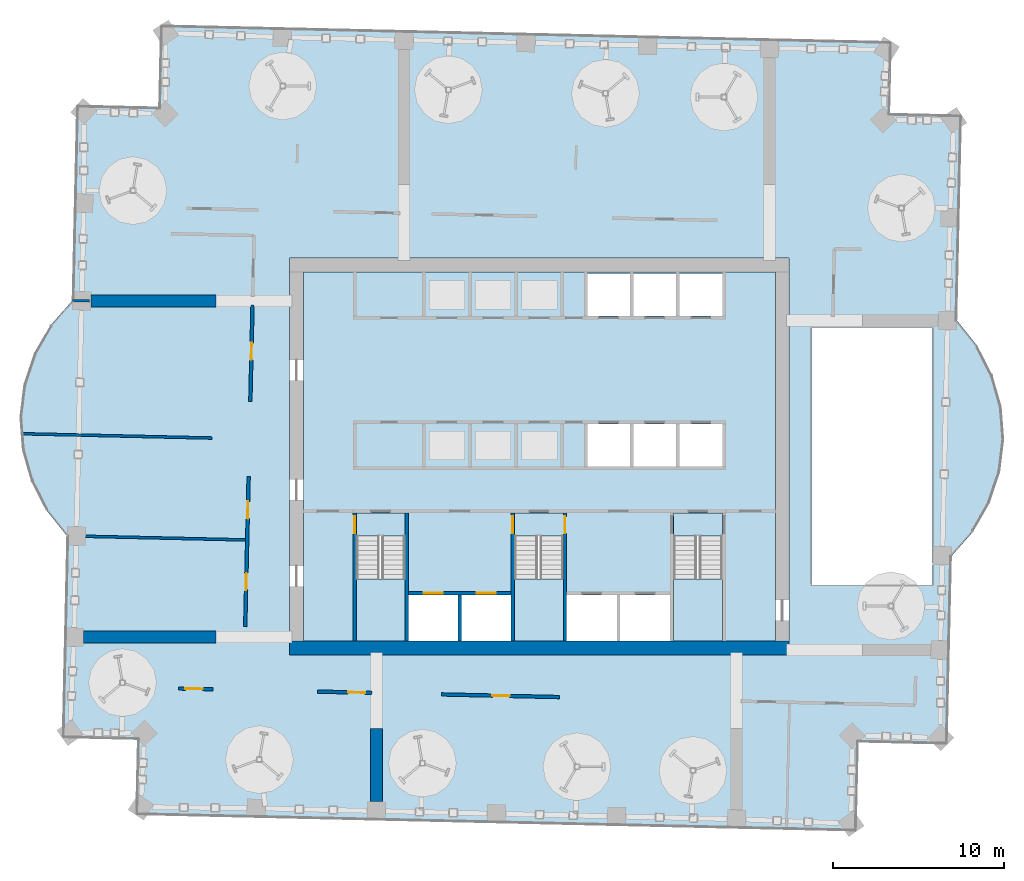
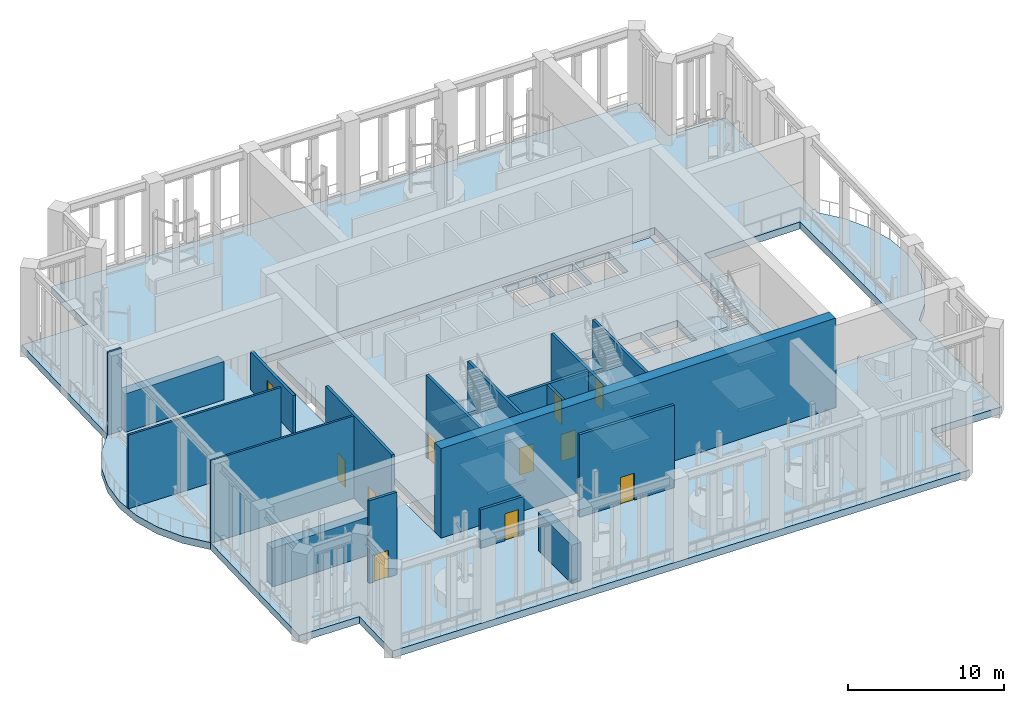
# One storey, part 7 of 33: 18 walls, 11 doors, 11 slabs, 11 openings, 3 elements without a shape of their own.
"""IFC4 building model written with IfcOpenShell, lengths in metres."""

from ifc_helpers import new_model, si_unit, direction, frame, frame_2d, origin, place, context, subcontext, project, spatial, polyline, rectangle, outline, extrude, material, layer, layer_set, type_object, element, fill, aggregate, save


model = new_model("IFC4")

# Units and contexts
model_context = context("Model", 3, precision=1e-05, world=origin(), true_north=direction((0.0, 1.0)))
body_context = subcontext(model_context, "Body", "Model", "MODEL_VIEW")
ifc_project = project(units=[si_unit("LENGTHUNIT", "METRE"), si_unit("AREAUNIT", "SQUARE_METRE"), si_unit("VOLUMEUNIT", "CUBIC_METRE"), si_unit("PLANEANGLEUNIT", "RADIAN"), si_unit("MASSUNIT", "GRAM", prefix="KILO")], contexts=[model_context])

# Site, building, storey
site_placement = place(None, origin())
site = spatial("IfcSite", under=ifc_project, at=site_placement, CompositionType="ELEMENT")
building_placement = place(site_placement, origin())
building = spatial("IfcBuilding", under=site, at=building_placement, Name="Mangrove Gate Tower", CompositionType="ELEMENT")
storey_placement = place(building_placement, frame((0.0, 0.0, 219.5)))
storey = spatial("IfcBuildingStorey", under=building, at=storey_placement, Name="L56", CompositionType="ELEMENT", Elevation=219.5)

# Slab
ifc_material_1 = material(Name="Concrete C40/50", Category="concrete")
ifc_layer_1 = layer(ifc_material_1, 0.550048828125)
ifc_layer_set_1 = layer_set([ifc_layer_1], Name="Core floor slab 550 C40/50")
slab_type_1 = type_object("IfcSlabType", Name="Core floor slab 550 C40/50", PredefinedType="FLOOR", material=ifc_layer_set_1)
slab_1_placement = place(storey_placement, frame((0.0, 0.0, -0.550048828125)))
element("IfcSlab", 1, at=slab_1_placement, inside=storey, type_object=slab_type_1, Name="SLAB-L56-CORE-1", PredefinedType="FLOOR", context=body_context, shape_type="SweptSolid", body=[
    extrude(outline(polyline([(-13.800048828125, -10.800048828125), (-13.800048828125, 10.800048828125), (13.800048828125, 10.800048828125), (13.800048828125, -10.800048828125), (10.699951171875, -10.800048828125), (10.699951171875, -4.653076171875), (7.85009765625, -4.653076171875), (7.85009765625, -10.800048828125), (7.64990234375, -10.800048828125), (7.64990234375, -8.10009765625), (4.72509765625, -8.10009765625), (4.72509765625, -10.800048828125), (4.52490234375, -10.800048828125), (4.52490234375, -8.10009765625), (1.60009765625, -8.10009765625), (1.60009765625, -10.800048828125), (1.39990234375, -10.800048828125), (1.39990234375, -4.653076171875), (-1.449951171875, -4.653076171875), (-1.449951171875, -10.800048828125), (-1.64990234375, -10.800048828125), (-1.64990234375, -8.10009765625), (-4.550048828125, -8.10009765625), (-4.550048828125, -10.800048828125), (-4.75, -10.800048828125), (-4.75, -8.10009765625), (-7.64990234375, -8.10009765625), (-7.64990234375, -10.800048828125), (-7.85009765625, -10.800048828125), (-7.85009765625, -4.653076171875), (-10.699951171875, -4.653076171875), (-10.699951171875, -10.800048828125), (-13.800048828125, -10.800048828125)]), holes=[polyline([(5.300048828125, -0.60009765625), (5.300048828125, 1.89990234375), (2.800048828125, 1.89990234375), (2.800048828125, -0.60009765625), (5.300048828125, -0.60009765625)]), polyline([(5.300048828125, 10.699951171875), (2.800048828125, 10.699951171875), (2.800048828125, 8.199951171875), (5.300048828125, 8.199951171875), (5.300048828125, 10.699951171875)]), polyline([(8.0, -0.60009765625), (8.0, 1.89990234375), (5.5, 1.89990234375), (5.5, -0.60009765625), (8.0, -0.60009765625)]), polyline([(10.699951171875, -0.60009765625), (10.699951171875, 1.89990234375), (8.199951171875, 1.89990234375), (8.199951171875, -0.60009765625), (10.699951171875, -0.60009765625)]), polyline([(8.0, 8.199951171875), (8.0, 10.699951171875), (5.5, 10.699951171875), (5.5, 8.199951171875), (8.0, 8.199951171875)]), polyline([(10.699951171875, 8.199951171875), (10.699951171875, 10.699951171875), (8.199951171875, 10.699951171875), (8.199951171875, 8.199951171875), (10.699951171875, 8.199951171875)])]), origin(), (0.0, 0.0, 1.0), 0.550048828125),
])

# Stair, slabs
ifc_material_2 = material(Name="Concrete C40/50", Category="concrete")
stair_type = type_object("IfcStairType", Name="Core stair 1350", PredefinedType="HALF_TURN_STAIR", material=ifc_material_2)
stair_1_placement = place(storey_placement, origin())
stair_1 = element("IfcStair", 2, at=stair_1_placement, inside=storey, type_object=stair_type, Name="L56 Stair 1", PredefinedType="HALF_TURN_STAIR")
ifc_material_3 = material(Name="Concrete C40/50", Category="concrete")
ifc_layer_2 = layer(ifc_material_3, 0.199951171875)
ifc_layer_set_2 = layer_set([ifc_layer_2], Name="Core stair landing 200")
slab_type_2 = type_object("IfcSlabType", Name="Core stair landing 200", PredefinedType="LANDING", material=ifc_layer_set_2)
slab_2_placement = place(storey_placement, frame((0.0, 0.0, 1.550048828125)))
slab_2 = element("IfcSlab", 3, at=slab_2_placement, type_object=slab_type_2, Name="ST1 landing 1", PredefinedType="LANDING", context=body_context, shape_type="SweptSolid", body=[
    extrude(outline(polyline([(-10.699951171875, -7.169921875), (-10.699951171875, -10.800048828125), (-7.85009765625, -10.800048828125), (-7.85009765625, -7.169921875), (-10.699951171875, -7.169921875)])), origin(), (0.0, 0.0, 1.0), 0.199951171875),
])
slab_3_placement = place(storey_placement, frame((0.0, 0.0, 3.300048828125)))
slab_3 = element("IfcSlab", 4, at=slab_3_placement, type_object=slab_type_2, Name="ST1 landing 2", PredefinedType="LANDING", context=body_context, shape_type="SweptSolid", body=[
    extrude(outline(polyline([(-10.699951171875, -3.300048828125), (-10.699951171875, -4.64990234375), (-7.85009765625, -4.64990234375), (-7.85009765625, -3.300048828125), (-10.699951171875, -3.300048828125)])), origin(), (0.0, 0.0, 1.0), 0.199951171875),
])
slab_4_placement = place(storey_placement, frame((0.0, 0.0, 5.050048828125)))
slab_4 = element("IfcSlab", 5, at=slab_4_placement, type_object=slab_type_2, Name="ST1 landing 3", PredefinedType="LANDING", context=body_context, shape_type="SweptSolid", body=[
    extrude(outline(polyline([(-10.699951171875, -7.169921875), (-10.699951171875, -10.800048828125), (-7.85009765625, -10.800048828125), (-7.85009765625, -7.169921875), (-10.699951171875, -7.169921875)])), origin(), (0.0, 0.0, 1.0), 0.199951171875),
])
aggregate(stair_1, [slab_2, slab_3, slab_4])

stair_2_placement = place(storey_placement, origin())
stair_2 = element("IfcStair", 6, at=stair_2_placement, inside=storey, type_object=stair_type, Name="L56 Stair 2", PredefinedType="HALF_TURN_STAIR")
slab_5_placement = place(storey_placement, frame((0.0, 0.0, 1.550048828125)))
slab_5 = element("IfcSlab", 7, at=slab_5_placement, type_object=slab_type_2, Name="ST2 landing 1", PredefinedType="LANDING", context=body_context, shape_type="SweptSolid", body=[
    extrude(outline(polyline([(-1.449951171875, -7.169921875), (-1.449951171875, -10.800048828125), (1.39990234375, -10.800048828125), (1.39990234375, -7.169921875), (-1.449951171875, -7.169921875)])), origin(), (0.0, 0.0, 1.0), 0.199951171875),
])
slab_6_placement = place(storey_placement, frame((0.0, 0.0, 3.300048828125)))
slab_6 = element("IfcSlab", 8, at=slab_6_placement, type_object=slab_type_2, Name="ST2 landing 2", PredefinedType="LANDING", context=body_context, shape_type="SweptSolid", body=[
    extrude(outline(polyline([(-1.449951171875, -3.300048828125), (-1.449951171875, -4.64990234375), (1.39990234375, -4.64990234375), (1.39990234375, -3.300048828125), (-1.449951171875, -3.300048828125)])), origin(), (0.0, 0.0, 1.0), 0.199951171875),
])
slab_7_placement = place(storey_placement, frame((0.0, 0.0, 5.050048828125)))
slab_7 = element("IfcSlab", 9, at=slab_7_placement, type_object=slab_type_2, Name="ST2 landing 3", PredefinedType="LANDING", context=body_context, shape_type="SweptSolid", body=[
    extrude(outline(polyline([(-1.449951171875, -7.169921875), (-1.449951171875, -10.800048828125), (1.39990234375, -10.800048828125), (1.39990234375, -7.169921875), (-1.449951171875, -7.169921875)])), origin(), (0.0, 0.0, 1.0), 0.199951171875),
])
aggregate(stair_2, [slab_5, slab_6, slab_7])

stair_3_placement = place(storey_placement, origin())
stair_3 = element("IfcStair", 10, at=stair_3_placement, inside=storey, type_object=stair_type, Name="L56 Stair 3", PredefinedType="HALF_TURN_STAIR")
slab_8_placement = place(storey_placement, frame((0.0, 0.0, 1.550048828125)))
slab_8 = element("IfcSlab", 11, at=slab_8_placement, type_object=slab_type_2, Name="ST3 landing 1", PredefinedType="LANDING", context=body_context, shape_type="SweptSolid", body=[
    extrude(outline(polyline([(7.85009765625, -7.169921875), (7.85009765625, -10.800048828125), (10.699951171875, -10.800048828125), (10.699951171875, -7.169921875), (7.85009765625, -7.169921875)])), origin(), (0.0, 0.0, 1.0), 0.199951171875),
])
slab_9_placement = place(storey_placement, frame((0.0, 0.0, 3.300048828125)))
slab_9 = element("IfcSlab", 12, at=slab_9_placement, type_object=slab_type_2, Name="ST3 landing 2", PredefinedType="LANDING", context=body_context, shape_type="SweptSolid", body=[
    extrude(outline(polyline([(7.85009765625, -3.300048828125), (7.85009765625, -4.64990234375), (10.699951171875, -4.64990234375), (10.699951171875, -3.300048828125), (7.85009765625, -3.300048828125)])), origin(), (0.0, 0.0, 1.0), 0.199951171875),
])
slab_10_placement = place(storey_placement, frame((0.0, 0.0, 5.050048828125)))
slab_10 = element("IfcSlab", 13, at=slab_10_placement, type_object=slab_type_2, Name="ST3 landing 3", PredefinedType="LANDING", context=body_context, shape_type="SweptSolid", body=[
    extrude(outline(polyline([(7.85009765625, -7.169921875), (7.85009765625, -10.800048828125), (10.699951171875, -10.800048828125), (10.699951171875, -7.169921875), (7.85009765625, -7.169921875)])), origin(), (0.0, 0.0, 1.0), 0.199951171875),
])
aggregate(stair_3, [slab_8, slab_9, slab_10])

# Slab
ifc_material_4 = material(Name="Concrete C40/50", Category="concrete")
ifc_layer_3 = layer(ifc_material_4, 0.550048828125)
ifc_layer_set_3 = layer_set([ifc_layer_3], Name="Floor slab 550 C40/50")
slab_type_3 = type_object("IfcSlabType", Name="Floor slab 550 C40/50", PredefinedType="FLOOR", material=ifc_layer_set_3)
slab_11_placement = place(storey_placement, frame((0.0, 0.0, -0.550048828125)))
element("IfcSlab", 14, at=slab_11_placement, inside=storey, type_object=slab_type_3, Name="Floor slab L56", PredefinedType="FLOOR", context=body_context, shape_type="SweptSolid", body=[
    extrude(outline(polyline([(-23.590576171875, -20.95703125), (18.54248046875, -21.9130859375), (18.66064453125, -16.71435546875), (23.859130859375, -16.832275390625), (24.109375, -5.810546875), (25.372314453125, -4.3740234375), (26.325439453125, -2.715576171875), (26.930908203125, -0.901123046875), (27.16455078125, 0.997314453125), (27.017333984375, 2.904296875), (26.494873046875, 4.744384765625), (25.617919921875, 6.4443359375), (24.42138671875, 7.9365234375), (24.694091796875, 19.958251953125), (20.4951171875, 20.053466796875), (20.590576171875, 24.25244140625), (-22.142578125, 25.22216796875), (-22.25146484375, 20.42333984375), (-27.050048828125, 20.5322265625), (-27.309326171875, 9.110595703125), (-28.572265625, 7.674072265625), (-29.525390625, 6.015625), (-30.130859375, 4.201171875), (-30.364501953125, 2.302734375), (-30.21728515625, 0.395751953125), (-29.69482421875, -1.4443359375), (-28.81787109375, -3.144287109375), (-27.621337890625, -4.636474609375), (-27.8896484375, -16.458251953125), (-23.49072265625, -16.55810546875), (-23.590576171875, -20.95703125)]), holes=[polyline([(15.89990234375, 7.5), (22.9951171875, 7.5), (22.9951171875, -7.5), (15.89990234375, -7.5), (15.89990234375, 7.5)]), polyline([(-14.60009765625, -11.60009765625), (-14.60009765625, 11.60009765625), (14.60009765625, 11.60009765625), (14.60009765625, -11.60009765625), (-14.60009765625, -11.60009765625)])]), origin(), (0.0, 0.0, 1.0), 0.550048828125),
])

# Wall, openings, doors
ifc_material_5 = material(Name="Concrete C60/75", Category="concrete")
ifc_layer_4 = layer(ifc_material_5, 0.199951171875)
ifc_layer_set_4 = layer_set([ifc_layer_4], Name="Core shaft wall 200 C60/75")
wall_type_1 = type_object("IfcWallType", Name="Core shaft wall 200 C60/75", PredefinedType="SHEAR", material=ifc_layer_set_4)
wall_1_placement = place(storey_placement, frame((-7.64990234375, -8.0, 0.0), z_axis=(0.0, 0.0, 1.0), x_axis=(1.0, 0.0, 0.0)))
wall_1 = element("IfcWall", 15, at=wall_1_placement, inside=storey, type_object=wall_type_1, Name="WALL-L56-CORE-15", PredefinedType="SHEAR", context=body_context, shape_type="SweptSolid", body=[
    extrude(rectangle(XDim=6.0, YDim=0.199951171875, at=frame_2d((3.0, 0.0))), origin(), (0.0, 0.0, 1.0), 6.449951171875),
])
opening_1_placement = place(wall_1_placement, frame((0.89990234375, 0.0, 0.0)))
opening_1 = element("IfcOpeningElement", 16, at=opening_1_placement, cuts=wall_1, Name="Opening LD", PredefinedType="OPENING", context=body_context, shape_type="SweptSolid", body=[
    extrude(rectangle(XDim=1.10009765625, YDim=2.10009765625, at=frame_2d((0.550048828125, 1.050048828125))), frame((0.0, 0.10986328125, 0.0), z_axis=(0.0, -1.0, 0.0), x_axis=(1.0, 0.0, 0.0)), (0.0, 0.0, 1.0), 0.219970703125),
])
opening_2_placement = place(wall_1_placement, frame((4.0, 0.0, 0.0)))
opening_2 = element("IfcOpeningElement", 17, at=opening_2_placement, cuts=wall_1, Name="Opening LD", PredefinedType="OPENING", context=body_context, shape_type="SweptSolid", body=[
    extrude(rectangle(XDim=1.10009765625, YDim=2.10009765625, at=frame_2d((0.550048828125, 1.050048828125))), frame((0.0, 0.10986328125, 0.0), z_axis=(0.0, -1.0, 0.0), x_axis=(1.0, 0.0, 0.0)), (0.0, 0.0, 1.0), 0.219970703125),
])
ifc_material_6 = material(Name="Stainless steel 316", Category="steel")
door_type_1 = type_object("IfcDoorType", Name="Lift landing door 1100x2100", OperationType="SLIDING_TO_LEFT", PredefinedType="DOOR", material=ifc_material_6)
door_1_placement = place(opening_1_placement, origin())
door_1 = element("IfcDoor", 18, at=door_1_placement, inside=storey, type_object=door_type_1, Name="Landing door LD SVL1", OperationType="SLIDING_TO_LEFT", OverallHeight=2.10009765625, OverallWidth=1.10009765625, PredefinedType="DOOR", context=body_context, shape_type="SweptSolid", body=[
    extrude(rectangle(XDim=1.10009765625, YDim=2.10009765625, at=frame_2d((0.550048828125, 1.050048828125))), frame((0.0, 0.02490234375, 0.0), z_axis=(0.0, -1.0, 0.0), x_axis=(1.0, 0.0, 0.0)), (0.0, 0.0, 1.0), 0.050048828125),
])
fill(opening_1, door_1)
door_2_placement = place(opening_2_placement, origin())
door_2 = element("IfcDoor", 19, at=door_2_placement, inside=storey, type_object=door_type_1, Name="Landing door LD SVL2", OperationType="SLIDING_TO_LEFT", OverallHeight=2.10009765625, OverallWidth=1.10009765625, PredefinedType="DOOR", context=body_context, shape_type="SweptSolid", body=[
    extrude(rectangle(XDim=1.10009765625, YDim=2.10009765625, at=frame_2d((0.550048828125, 1.050048828125))), frame((0.0, 0.02490234375, 0.0), z_axis=(0.0, -1.0, 0.0), x_axis=(1.0, 0.0, 0.0)), (0.0, 0.0, 1.0), 0.050048828125),
])
fill(opening_2, door_2)

# Wall
wall_2_placement = place(storey_placement, frame((-4.64990234375, -10.800048828125, 0.0), z_axis=(0.0, 0.0, 1.0), x_axis=(0.0, 1.0, 0.0)))
element("IfcWall", 20, at=wall_2_placement, inside=storey, type_object=wall_type_1, Name="WALL-L56-CORE-16", PredefinedType="SHEAR", context=body_context, shape_type="SweptSolid", body=[
    extrude(rectangle(XDim=2.699951171875, YDim=0.199951171875, at=frame_2d((1.35009765625, 0.0))), origin(), (0.0, 0.0, 1.0), 6.449951171875),
])

# Wall, opening, door
ifc_material_7 = material(Name="Concrete C60/75", Category="concrete")
ifc_layer_5 = layer(ifc_material_7, 0.199951171875)
ifc_layer_set_5 = layer_set([ifc_layer_5], Name="Core stair wall 200 C60/75")
wall_type_2 = type_object("IfcWallType", Name="Core stair wall 200 C60/75", PredefinedType="SHEAR", material=ifc_layer_set_5)
wall_3_placement = place(storey_placement, frame((-10.800048828125, -10.800048828125, 0.0), z_axis=(0.0, 0.0, 1.0), x_axis=(0.0, 1.0, 0.0)))
wall_3 = element("IfcWall", 21, at=wall_3_placement, inside=storey, type_object=wall_type_2, Name="WALL-L56-CORE-9", PredefinedType="SHEAR", context=body_context, shape_type="SweptSolid", body=[
    extrude(rectangle(XDim=7.5, YDim=0.199951171875, at=frame_2d((3.75, 0.0))), origin(), (0.0, 0.0, 1.0), 6.449951171875),
])
opening_3_placement = place(wall_3_placement, frame((6.300048828125, 0.0, 0.0)))
opening_3 = element("IfcOpeningElement", 22, at=opening_3_placement, cuts=wall_3, Name="Opening STD10", PredefinedType="OPENING", context=body_context, shape_type="SweptSolid", body=[
    extrude(rectangle(XDim=1.0, YDim=2.10009765625, at=frame_2d((0.5, 1.050048828125))), frame((0.0, 0.10986328125, 0.0), z_axis=(0.0, -1.0, 0.0), x_axis=(1.0, 0.0, 0.0)), (0.0, 0.0, 1.0), 0.219970703125),
])
ifc_material_8 = material(Name="Fire-rated steel door set", Category="steel")
door_type_2 = type_object("IfcDoorType", Name="Stair door FD60 1000x2100", OperationType="SINGLE_SWING_RIGHT", PredefinedType="DOOR", material=ifc_material_8)
door_3_placement = place(opening_3_placement, origin())
door_3 = element("IfcDoor", 23, at=door_3_placement, inside=storey, type_object=door_type_2, Name="Stair door refuge lobby W to stair", OperationType="SINGLE_SWING_RIGHT", OverallHeight=2.10009765625, OverallWidth=1.0, PredefinedType="DOOR", context=body_context, shape_type="SweptSolid", body=[
    extrude(rectangle(XDim=1.0, YDim=2.10009765625, at=frame_2d((0.5, 1.050048828125))), frame((0.0, 0.02490234375, 0.0), z_axis=(0.0, -1.0, 0.0), x_axis=(1.0, 0.0, 0.0)), (0.0, 0.0, 1.0), 0.050048828125),
])
fill(opening_3, door_3)

# Wall
wall_4_placement = place(storey_placement, frame((-7.75, -10.800048828125, 0.0), z_axis=(0.0, 0.0, 1.0), x_axis=(0.0, 1.0, 0.0)))
element("IfcWall", 24, at=wall_4_placement, inside=storey, type_object=wall_type_2, Name="WALL-L56-CORE-10", PredefinedType="SHEAR", context=body_context, shape_type="SweptSolid", body=[
    extrude(rectangle(XDim=7.5, YDim=0.199951171875, at=frame_2d((3.75, 0.0))), origin(), (0.0, 0.0, 1.0), 6.449951171875),
])

# Wall, opening, door
wall_5_placement = place(storey_placement, frame((-1.550048828125, -10.800048828125, 0.0), z_axis=(0.0, 0.0, 1.0), x_axis=(0.0, 1.0, 0.0)))
wall_5 = element("IfcWall", 25, at=wall_5_placement, inside=storey, type_object=wall_type_2, Name="WALL-L56-CORE-11", PredefinedType="SHEAR", context=body_context, shape_type="SweptSolid", body=[
    extrude(rectangle(XDim=7.5, YDim=0.199951171875, at=frame_2d((3.75, 0.0))), origin(), (0.0, 0.0, 1.0), 6.449951171875),
])
opening_4_placement = place(wall_5_placement, frame((6.300048828125, 0.0, 0.0)))
opening_4 = element("IfcOpeningElement", 26, at=opening_4_placement, cuts=wall_5, Name="Opening STD10", PredefinedType="OPENING", context=body_context, shape_type="SweptSolid", body=[
    extrude(rectangle(XDim=1.0, YDim=2.10009765625, at=frame_2d((0.5, 1.050048828125))), frame((0.0, 0.10986328125, 0.0), z_axis=(0.0, -1.0, 0.0), x_axis=(1.0, 0.0, 0.0)), (0.0, 0.0, 1.0), 0.219970703125),
])
door_4_placement = place(opening_4_placement, origin())
door_4 = element("IfcDoor", 27, at=door_4_placement, inside=storey, type_object=door_type_2, Name="Stair door Stair 2 from service lobby", OperationType="SINGLE_SWING_RIGHT", OverallHeight=2.10009765625, OverallWidth=1.0, PredefinedType="DOOR", context=body_context, shape_type="SweptSolid", body=[
    extrude(rectangle(XDim=1.0, YDim=2.10009765625, at=frame_2d((0.5, 1.050048828125))), frame((0.0, 0.02490234375, 0.0), z_axis=(0.0, -1.0, 0.0), x_axis=(1.0, 0.0, 0.0)), (0.0, 0.0, 1.0), 0.050048828125),
])
fill(opening_4, door_4)

wall_6_placement = place(storey_placement, frame((1.5, -10.800048828125, 0.0), z_axis=(0.0, 0.0, 1.0), x_axis=(0.0, 1.0, 0.0)))
wall_6 = element("IfcWall", 28, at=wall_6_placement, inside=storey, type_object=wall_type_2, Name="WALL-L56-CORE-12", PredefinedType="SHEAR", context=body_context, shape_type="SweptSolid", body=[
    extrude(rectangle(XDim=7.5, YDim=0.199951171875, at=frame_2d((3.75, 0.0))), origin(), (0.0, 0.0, 1.0), 6.449951171875),
])
opening_5_placement = place(wall_6_placement, frame((6.300048828125, 0.0, 0.0)))
opening_5 = element("IfcOpeningElement", 29, at=opening_5_placement, cuts=wall_6, Name="Opening STD10", PredefinedType="OPENING", context=body_context, shape_type="SweptSolid", body=[
    extrude(rectangle(XDim=1.0, YDim=2.10009765625, at=frame_2d((0.5, 1.050048828125))), frame((0.0, 0.10986328125, 0.0), z_axis=(0.0, -1.0, 0.0), x_axis=(1.0, 0.0, 0.0)), (0.0, 0.0, 1.0), 0.219970703125),
])
door_5_placement = place(opening_5_placement, origin())
door_5 = element("IfcDoor", 30, at=door_5_placement, inside=storey, type_object=door_type_2, Name="Stair door Stair 2 from fire-fighting lobby", OperationType="SINGLE_SWING_RIGHT", OverallHeight=2.10009765625, OverallWidth=1.0, PredefinedType="DOOR", context=body_context, shape_type="SweptSolid", body=[
    extrude(rectangle(XDim=1.0, YDim=2.10009765625, at=frame_2d((0.5, 1.050048828125))), frame((0.0, 0.02490234375, 0.0), z_axis=(0.0, -1.0, 0.0), x_axis=(1.0, 0.0, 0.0)), (0.0, 0.0, 1.0), 0.050048828125),
])
fill(opening_5, door_5)

# Wall
ifc_material_9 = material(Name="Concrete C60/75", Category="concrete")
ifc_layer_6 = layer(ifc_material_9, 0.800048828125)
ifc_layer_set_6 = layer_set([ifc_layer_6], Name="Core wall 800 C60/75")
wall_type_3 = type_object("IfcWallType", Name="Core wall 800 C60/75", PredefinedType="SHEAR", material=ifc_layer_set_6)
wall_7_placement = place(storey_placement, frame((-14.60009765625, -11.199951171875, 0.0), z_axis=(0.0, 0.0, 1.0), x_axis=(1.0, 0.0, 0.0)))
element("IfcWall", 31, at=wall_7_placement, inside=storey, type_object=wall_type_3, Name="WALL-L56-CORE-1", PredefinedType="SHEAR", context=body_context, shape_type="SweptSolid", body=[
    extrude(rectangle(XDim=29.2001953125, YDim=0.800048828125, at=frame_2d((14.60009765625, 0.0))), origin(), (0.0, 0.0, 1.0), 7.0),
])

# Wall, opening, door
ifc_material_10 = material(Name="Gypsum board on steel stud, EI 60", Category="steel")
ifc_layer_7 = layer(ifc_material_10, 0.199951171875)
ifc_layer_set_7 = layer_set([ifc_layer_7], Name="Corridor wall EI 60")
wall_type_4 = type_object("IfcWallType", Name="Corridor wall EI 60", PredefinedType="PARTITIONING", material=ifc_layer_set_7)
wall_8_placement = place(storey_placement, frame((-21.093994140625, -13.56201171875, 0.0), z_axis=(0.0, 0.0, 1.0), x_axis=(0.999743202774, -0.022661167365, 0.0)))
wall_8 = element("IfcWall", 32, at=wall_8_placement, inside=storey, type_object=wall_type_4, Name="WALL-L56-002", PredefinedType="PARTITIONING", context=body_context, shape_type="SweptSolid", body=[
    extrude(rectangle(XDim=2.025390625, YDim=0.199951171875, at=frame_2d((1.0126953125, 0.0))), origin(), (0.0, 0.0, 1.0), 6.449951171875),
])
opening_6_placement = place(wall_8_placement, frame((0.404052734375, 0.0, 0.0)))
opening_6 = element("IfcOpeningElement", 33, at=opening_6_placement, cuts=wall_8, Name="Opening AD", PredefinedType="OPENING", context=body_context, shape_type="SweptSolid", body=[
    extrude(rectangle(XDim=1.0, YDim=2.10009765625, at=frame_2d((0.5, 1.050048828125))), frame((0.0, 0.10986328125, 0.0), z_axis=(0.0, -1.0, 0.0), x_axis=(1.0, 0.0, 0.0)), (0.0, 0.0, 1.0), 0.219970703125),
])
ifc_material_11 = material(Name="Timber door leaf", Category="wood")
door_type_3 = type_object("IfcDoorType", Name="Amenity door 1000", OperationType="SINGLE_SWING_LEFT", PredefinedType="DOOR", material=ifc_material_11)
door_6_placement = place(opening_6_placement, origin())
door_6 = element("IfcDoor", 34, at=door_6_placement, inside=storey, type_object=door_type_3, Name="DOOR-L56-GAM-c1a", OperationType="SINGLE_SWING_LEFT", OverallHeight=2.10009765625, OverallWidth=1.0, PredefinedType="DOOR", context=body_context, shape_type="SweptSolid", body=[
    extrude(rectangle(XDim=1.0, YDim=2.10009765625, at=frame_2d((0.5, 1.050048828125))), frame((0.0, 0.02490234375, 0.0), z_axis=(0.0, -1.0, 0.0), x_axis=(1.0, 0.0, 0.0)), (0.0, 0.0, 1.0), 0.050048828125),
])
fill(opening_6, door_6)

wall_9_placement = place(storey_placement, frame((-12.97802734375, -13.74609375, 0.0), z_axis=(0.0, 0.0, 1.0), x_axis=(0.999746503137, -0.022515094162, 0.0)))
wall_9 = element("IfcWall", 35, at=wall_9_placement, inside=storey, type_object=wall_type_4, Name="WALL-L56-003", PredefinedType="PARTITIONING", context=body_context, shape_type="SweptSolid", body=[
    extrude(rectangle(XDim=3.19873046875, YDim=0.199951171875, at=frame_2d((1.599365234375, 0.0))), origin(), (0.0, 0.0, 1.0), 3.0),
])
opening_7_placement = place(wall_9_placement, frame((1.794921875, 0.0, 0.0)))
opening_7 = element("IfcOpeningElement", 36, at=opening_7_placement, cuts=wall_9, Name="Opening AD", PredefinedType="OPENING", context=body_context, shape_type="SweptSolid", body=[
    extrude(rectangle(XDim=1.0, YDim=2.10009765625, at=frame_2d((0.5, 1.050048828125))), frame((0.0, 0.10986328125, 0.0), z_axis=(0.0, -1.0, 0.0), x_axis=(1.0, 0.0, 0.0)), (0.0, 0.0, 1.0), 0.219970703125),
])
door_7_placement = place(opening_7_placement, origin())
door_7 = element("IfcDoor", 37, at=door_7_placement, inside=storey, type_object=door_type_3, Name="DOOR-L56-LNG-c1a", OperationType="SINGLE_SWING_RIGHT", OverallHeight=2.10009765625, OverallWidth=1.0, PredefinedType="DOOR", context=body_context, shape_type="SweptSolid", body=[
    extrude(rectangle(XDim=1.0, YDim=2.10009765625, at=frame_2d((0.5, 1.050048828125))), frame((0.0, 0.02490234375, 0.0), z_axis=(0.0, -1.0, 0.0), x_axis=(1.0, 0.0, 0.0)), (0.0, 0.0, 1.0), 0.050048828125),
])
fill(opening_7, door_7)

wall_10_placement = place(storey_placement, frame((-5.72998046875, -13.909912109375, 0.0), z_axis=(0.0, 0.0, 1.0), x_axis=(0.999741744306, -0.022725419507, 0.0)))
wall_10 = element("IfcWall", 38, at=wall_10_placement, inside=storey, type_object=wall_type_4, Name="WALL-L56-004", PredefinedType="PARTITIONING", context=body_context, shape_type="SweptSolid", body=[
    extrude(rectangle(XDim=6.90771484375, YDim=0.199951171875, at=frame_2d((3.453857421875, 0.0))), origin(), (0.0, 0.0, 1.0), 6.449951171875),
])
opening_8_placement = place(wall_10_placement, frame((2.989990234375, 0.0, 0.0)))
opening_8 = element("IfcOpeningElement", 39, at=opening_8_placement, cuts=wall_10, Name="Opening AD", PredefinedType="OPENING", context=body_context, shape_type="SweptSolid", body=[
    extrude(rectangle(XDim=1.0, YDim=2.10009765625, at=frame_2d((0.5, 1.050048828125))), frame((0.0, 0.10986328125, 0.0), z_axis=(0.0, -1.0, 0.0), x_axis=(1.0, 0.0, 0.0)), (0.0, 0.0, 1.0), 0.219970703125),
])
door_8_placement = place(opening_8_placement, origin())
door_8 = element("IfcDoor", 40, at=door_8_placement, inside=storey, type_object=door_type_3, Name="DOOR-L56-GAM-c1b", OperationType="SINGLE_SWING_LEFT", OverallHeight=2.10009765625, OverallWidth=1.0, PredefinedType="DOOR", context=body_context, shape_type="SweptSolid", body=[
    extrude(rectangle(XDim=1.0, YDim=2.10009765625, at=frame_2d((0.5, 1.050048828125))), frame((0.0, 0.02490234375, 0.0), z_axis=(0.0, -1.0, 0.0), x_axis=(1.0, 0.0, 0.0)), (0.0, 0.0, 1.0), 0.050048828125),
])
fill(opening_8, door_8)

# Wall, openings, doors
wall_11_placement = place(storey_placement, frame((-17.197021484375, -9.952880859375, 0.0), z_axis=(0.0, 0.0, 1.0), x_axis=(0.022654474612, 0.999743354457, 0.0)))
wall_11 = element("IfcWall", 41, at=wall_11_placement, inside=storey, type_object=wall_type_4, Name="WALL-L56-007", PredefinedType="PARTITIONING", context=body_context, shape_type="SweptSolid", body=[
    extrude(rectangle(XDim=8.782958984375, YDim=0.199951171875, at=frame_2d((4.3916015625, 0.0))), origin(), (0.0, 0.0, 1.0), 6.449951171875),
])
opening_9_placement = place(wall_11_placement, frame((6.3291015625, 0.0, 0.0)))
opening_9 = element("IfcOpeningElement", 42, at=opening_9_placement, cuts=wall_11, Name="Opening AD", PredefinedType="OPENING", context=body_context, shape_type="SweptSolid", body=[
    extrude(rectangle(XDim=1.0, YDim=2.10009765625, at=frame_2d((0.5, 1.050048828125))), frame((0.0, 0.10986328125, 0.0), z_axis=(0.0, -1.0, 0.0), x_axis=(1.0, 0.0, 0.0)), (0.0, 0.0, 1.0), 0.219970703125),
])
opening_10_placement = place(wall_11_placement, frame((2.14111328125, 0.0, 0.0)))
opening_10 = element("IfcOpeningElement", 43, at=opening_10_placement, cuts=wall_11, Name="Opening AD", PredefinedType="OPENING", context=body_context, shape_type="SweptSolid", body=[
    extrude(rectangle(XDim=1.0, YDim=2.10009765625, at=frame_2d((0.5, 1.050048828125))), frame((0.0, 0.10986328125, 0.0), z_axis=(0.0, -1.0, 0.0), x_axis=(1.0, 0.0, 0.0)), (0.0, 0.0, 1.0), 0.219970703125),
])
door_9_placement = place(opening_9_placement, origin())
door_9 = element("IfcDoor", 44, at=door_9_placement, inside=storey, type_object=door_type_3, Name="DOOR-L56-KIT-c5a", OperationType="SINGLE_SWING_LEFT", OverallHeight=2.10009765625, OverallWidth=1.0, PredefinedType="DOOR", context=body_context, shape_type="SweptSolid", body=[
    extrude(rectangle(XDim=1.0, YDim=2.10009765625, at=frame_2d((0.5, 1.050048828125))), frame((0.0, 0.02490234375, 0.0), z_axis=(0.0, -1.0, 0.0), x_axis=(1.0, 0.0, 0.0)), (0.0, 0.0, 1.0), 0.050048828125),
])
fill(opening_9, door_9)
door_10_placement = place(opening_10_placement, origin())
door_10 = element("IfcDoor", 45, at=door_10_placement, inside=storey, type_object=door_type_3, Name="DOOR-L56-GAM-c5b", OperationType="SINGLE_SWING_RIGHT", OverallHeight=2.10009765625, OverallWidth=1.0, PredefinedType="DOOR", context=body_context, shape_type="SweptSolid", body=[
    extrude(rectangle(XDim=1.0, YDim=2.10009765625, at=frame_2d((0.5, 1.050048828125))), frame((0.0, 0.02490234375, 0.0), z_axis=(0.0, -1.0, 0.0), x_axis=(1.0, 0.0, 0.0)), (0.0, 0.0, 1.0), 0.050048828125),
])
fill(opening_10, door_10)

# Wall, opening, door
wall_12_placement = place(storey_placement, frame((-16.89794921875, 3.218017578125, 0.0), z_axis=(0.0, 0.0, 1.0), x_axis=(0.022527539795, 0.999746222774, 0.0)))
wall_12 = element("IfcWall", 46, at=wall_12_placement, inside=storey, type_object=wall_type_4, Name="WALL-L56-010", PredefinedType="PARTITIONING", context=body_context, shape_type="SweptSolid", body=[
    extrude(rectangle(XDim=5.635498046875, YDim=0.199951171875, at=frame_2d((2.81787109375, 0.0))), origin(), (0.0, 0.0, 1.0), 3.0),
])
opening_11_placement = place(wall_12_placement, frame((2.428955078125, 0.0, 0.0)))
opening_11 = element("IfcOpeningElement", 47, at=opening_11_placement, cuts=wall_12, Name="Opening AD", PredefinedType="OPENING", context=body_context, shape_type="SweptSolid", body=[
    extrude(rectangle(XDim=1.0, YDim=2.10009765625, at=frame_2d((0.5, 1.050048828125))), frame((0.0, 0.10986328125, 0.0), z_axis=(0.0, -1.0, 0.0), x_axis=(1.0, 0.0, 0.0)), (0.0, 0.0, 1.0), 0.219970703125),
])
door_11_placement = place(opening_11_placement, origin())
door_11 = element("IfcDoor", 48, at=door_11_placement, inside=storey, type_object=door_type_3, Name="DOOR-L56-GAM-c5a", OperationType="SINGLE_SWING_RIGHT", OverallHeight=2.10009765625, OverallWidth=1.0, PredefinedType="DOOR", context=body_context, shape_type="SweptSolid", body=[
    extrude(rectangle(XDim=1.0, YDim=2.10009765625, at=frame_2d((0.5, 1.050048828125))), frame((0.0, 0.02490234375, 0.0), z_axis=(0.0, -1.0, 0.0), x_axis=(1.0, 0.0, 0.0)), (0.0, 0.0, 1.0), 0.050048828125),
])
fill(opening_11, door_11)

# Walls
ifc_material_12 = material(Name="Concrete C60/75", Category="concrete")
ifc_layer_8 = layer(ifc_material_12, 0.699951171875)
ifc_layer_set_8 = layer_set([ifc_layer_8], Name="Outrigger wall 700 C60/75")
wall_type_5 = type_object("IfcWallType", Name="Outrigger wall 700 C60/75", PredefinedType="SHEAR", material=ifc_layer_set_8)
wall_13_placement = place(storey_placement, frame((-18.89990234375, 9.0986328125, 0.0), z_axis=(0.0, 0.0, 1.0), x_axis=(-1.0, 0.0, 0.0)))
element("IfcWall", 49, at=wall_13_placement, inside=storey, type_object=wall_type_5, Name="Outrigger wall L56 OR2 pier", PredefinedType="SHEAR", context=body_context, shape_type="SweptSolid", body=[
    extrude(rectangle(XDim=7.30908203125, YDim=0.699951171875, at=frame_2d((3.654541015625, 0.0))), origin(), (0.0, 0.0, 1.0), 3.0),
])
wall_14_placement = place(storey_placement, frame((-18.89990234375, -10.5595703125, 0.0), z_axis=(0.0, 0.0, 1.0), x_axis=(-1.0, 0.0, 0.0)))
element("IfcWall", 50, at=wall_14_placement, inside=storey, type_object=wall_type_5, Name="Outrigger wall L56 OR6 pier", PredefinedType="SHEAR", context=body_context, shape_type="SweptSolid", body=[
    extrude(rectangle(XDim=7.755126953125, YDim=0.699951171875, at=frame_2d((3.87744140625, 0.0))), origin(), (0.0, 0.0, 1.0), 3.0),
])
wall_15_placement = place(storey_placement, frame((-9.533447265625, -15.89990234375, 0.0), z_axis=(0.0, 0.0, 1.0), x_axis=(0.0, -1.0, 0.0)))
element("IfcWall", 51, at=wall_15_placement, inside=storey, type_object=wall_type_5, Name="Outrigger wall L56 OR8 pier", PredefinedType="SHEAR", context=body_context, shape_type="SweptSolid", body=[
    extrude(rectangle(XDim=4.276123046875, YDim=0.699951171875, at=frame_2d((2.13818359375, 0.0))), origin(), (0.0, 0.0, 1.0), 3.0),
])
ifc_material_13 = material(Name="Gypsum board on steel stud, EI 60", Category="steel")
ifc_layer_9 = layer(ifc_material_13, 0.14990234375)
ifc_layer_set_9 = layer_set([ifc_layer_9], Name="Party wall 150 EI 60")
wall_type_6 = type_object("IfcWallType", Name="Party wall 150 EI 60", PredefinedType="PARTITIONING", material=ifc_layer_set_9)
wall_16_placement = place(storey_placement, frame((-27.62109375, -4.64111328125, 0.0), z_axis=(0.0, 0.0, 1.0), x_axis=(0.999742728106, -0.022682098664, 0.0)))
element("IfcWall", 52, at=wall_16_placement, inside=storey, type_object=wall_type_6, Name="WALL-L56-008", PredefinedType="PARTITIONING", context=body_context, shape_type="SweptSolid", body=[
    extrude(rectangle(XDim=10.440673828125, YDim=0.14990234375, at=frame_2d((5.22021484375, 0.0))), origin(), (0.0, 0.0, 1.0), 6.449951171875),
])
wall_17_placement = place(storey_placement, frame((-30.2890625, 1.3310546875, 0.0), z_axis=(0.0, 0.0, 1.0), x_axis=(0.999741903402, -0.022718419464, 0.0)))
element("IfcWall", 53, at=wall_17_placement, inside=storey, type_object=wall_type_6, Name="WALL-L56-009", PredefinedType="PARTITIONING", context=body_context, shape_type="SweptSolid", body=[
    extrude(rectangle(XDim=11.14404296875, YDim=0.14990234375, at=frame_2d((5.572021484375, 0.0))), origin(), (0.0, 0.0, 1.0), 5.75),
])
wall_18_placement = place(storey_placement, frame((-27.30908203125, 9.114990234375, 0.0), z_axis=(0.0, 0.0, 1.0), x_axis=(0.99973677065, -0.022943177842, 0.0)))
element("IfcWall", 54, at=wall_18_placement, inside=storey, type_object=wall_type_6, Name="WALL-L56-011", PredefinedType="PARTITIONING", context=body_context, shape_type="SweptSolid", body=[
    extrude(rectangle(XDim=1.000244140625, YDim=0.14990234375, at=frame_2d((0.5, 0.0))), origin(), (0.0, 0.0, 1.0), 6.449951171875),
])

save(model, "model.ifc")
